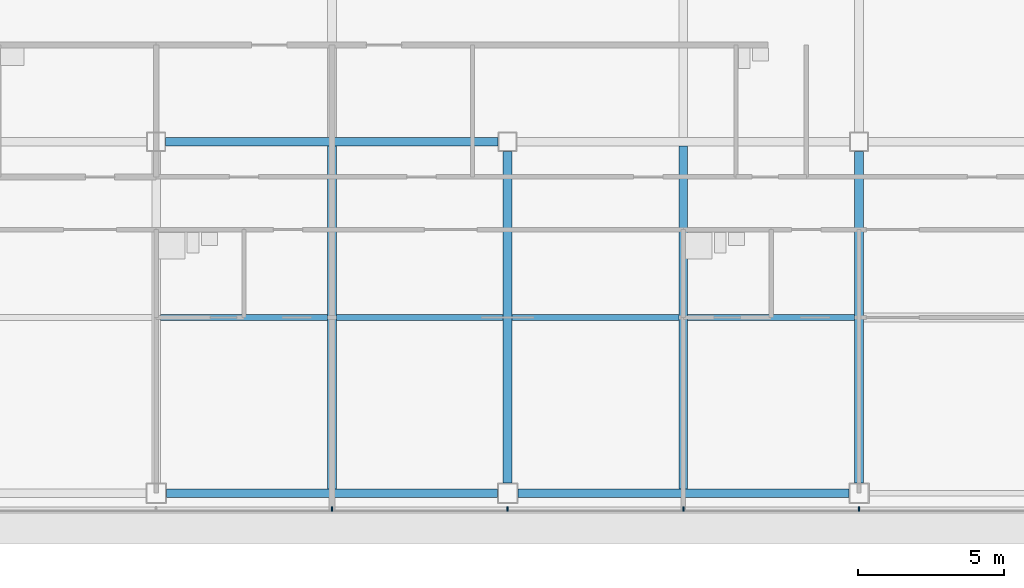
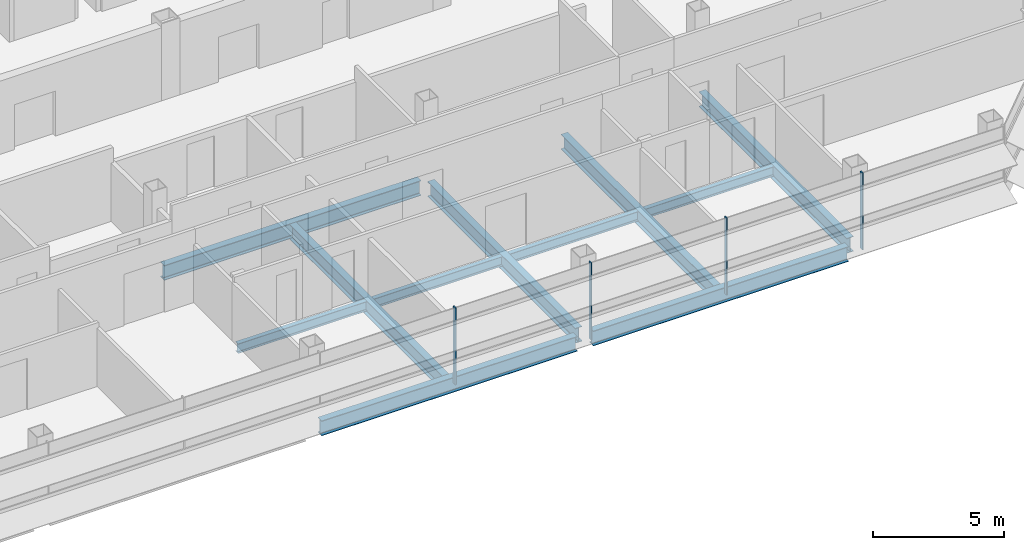
# One storey, part 8 of 24: 11 beams, 4 members, 1 element without a shape of its own.
"""IFC4 building model written with IfcOpenShell, lengths in metres."""

from ifc_helpers import new_model, si_unit, direction, frame, origin, origin_2d, place, context, subcontext, project, spatial, rectangle, i_section, extrude, material, material_profile, profile_set, type_object, element, aggregate, save


model = new_model("IFC4")

# Units and contexts
model_context = context("Model", 3, precision=1e-05, world=origin(), true_north=direction((0.0, 1.0)))
body_context = subcontext(model_context, "Body", "Model", "MODEL_VIEW")
ifc_project = project(units=[si_unit("LENGTHUNIT", "METRE"), si_unit("AREAUNIT", "SQUARE_METRE"), si_unit("VOLUMEUNIT", "CUBIC_METRE"), si_unit("PLANEANGLEUNIT", "RADIAN"), si_unit("MASSUNIT", "GRAM", prefix="KILO")], contexts=[model_context])

# Site, building, storey
site_placement = place(None, origin())
site = spatial("IfcSite", under=ifc_project, at=site_placement, CompositionType="ELEMENT")
building_placement = place(site_placement, origin())
building = spatial("IfcBuilding", under=site, at=building_placement, Name="Sorahane Residences", CompositionType="ELEMENT")
storey_placement = place(building_placement, frame((0.0, 0.0, 170.800048828125)))
storey = spatial("IfcBuildingStorey", under=building, at=storey_placement, Name="L39", CompositionType="ELEMENT", Elevation=170.800048828125)

# Curtain wall, members
ifc_material_1 = material(Name="Dark low-e glass and black anodised aluminium", Category="aluminium")
curtain_wall_type = type_object("IfcCurtainWallType", Name="Curtain wall CW-1 Typical unitised wall", PredefinedType="NOTDEFINED", material=ifc_material_1)
curtain_wall_placement = place(storey_placement, origin())
curtain_wall = element("IfcCurtainWall", 1, at=curtain_wall_placement, inside=storey, type_object=curtain_wall_type, Name="CW-1 curtain wall L39 S1", PredefinedType="NOTDEFINED")
ifc_material_2 = material(Name="Black anodised aluminium", Category="aluminium")
ifc_material_profile_1 = material_profile(ifc_material_2, rectangle(XDim=0.159912109375, YDim=0.050048828125, at=origin_2d()), Name="Curtain wall mullion CW-1 black anodised aluminium 50x160")
ifc_profile_set_1 = profile_set([ifc_material_profile_1], Name="Black anodised aluminium")
member_type = type_object("IfcMemberType", Name="Curtain wall mullion CW-1 black anodised aluminium 50x160", PredefinedType="MULLION", material=ifc_profile_set_1)
member_1_placement = place(storey_placement, frame((30.0, -0.5400390625, -0.179931640625), z_axis=(0.0, 0.0, 1.0), x_axis=(0.0, -1.0, 0.0)))
member_1 = element("IfcMember", 2, at=member_1_placement, type_object=member_type, Name="CW-1 mullion L39 S1.6", PredefinedType="MULLION", context=body_context, shape_type="SweptSolid", body=[
    extrude(rectangle(XDim=0.159912109375, YDim=0.050048828125, at=origin_2d()), origin(), (0.0, 0.0, 1.0), 3.599853515625),
])
member_2_placement = place(storey_placement, frame((36.0, -0.5400390625, -0.179931640625), z_axis=(0.0, 0.0, 1.0), x_axis=(0.0, -1.0, 0.0)))
member_2 = element("IfcMember", 3, at=member_2_placement, type_object=member_type, Name="CW-1 mullion L39 S1.7", PredefinedType="MULLION", context=body_context, shape_type="SweptSolid", body=[
    extrude(rectangle(XDim=0.159912109375, YDim=0.050048828125, at=origin_2d()), origin(), (0.0, 0.0, 1.0), 3.599853515625),
])
member_3_placement = place(storey_placement, frame((42.0, -0.5400390625, -0.179931640625), z_axis=(0.0, 0.0, 1.0), x_axis=(0.0, -1.0, 0.0)))
member_3 = element("IfcMember", 4, at=member_3_placement, type_object=member_type, Name="CW-1 mullion L39 S1.8", PredefinedType="MULLION", context=body_context, shape_type="SweptSolid", body=[
    extrude(rectangle(XDim=0.159912109375, YDim=0.050048828125, at=origin_2d()), origin(), (0.0, 0.0, 1.0), 3.599853515625),
])
member_4_placement = place(storey_placement, frame((48.0, -0.5400390625, -0.179931640625), z_axis=(0.0, 0.0, 1.0), x_axis=(0.0, -1.0, 0.0)))
member_4 = element("IfcMember", 5, at=member_4_placement, type_object=member_type, Name="CW-1 mullion L39 S1.9", PredefinedType="MULLION", context=body_context, shape_type="SweptSolid", body=[
    extrude(rectangle(XDim=0.159912109375, YDim=0.050048828125, at=origin_2d()), origin(), (0.0, 0.0, 1.0), 3.599853515625),
])
aggregate(curtain_wall, [member_1, member_2, member_3, member_4])

# Beams
ifc_material_3 = material(Name="Steel Q355B", Category="steel")
ifc_material_profile_2 = material_profile(ifc_material_3, i_section(OverallWidth=0.199951171875, OverallDepth=0.449951171875, WebThickness=0.009033203125, FlangeThickness=0.013916015625, FilletRadius=0.02001953125, at=origin_2d()), Name="HN 450x200x9x14")
ifc_profile_set_2 = profile_set([ifc_material_profile_2], Name="Steel Q355B")
beam_type_1 = type_object("IfcBeamType", Name="Steel floor beam HN 450x200x9x14 Q355B", PredefinedType="BEAM", material=ifc_profile_set_2)
for number, where, z_axis, x_axis, name in (
    (6, (24.14990234375, 6.0, -0.405029296875), (1.0, 0.0, 0.0), (0.0, 1.0, 0.0), "Beam L39 073"),
    (7, (30.14990234375, 6.0, -0.405029296875), (1.0, 0.0, 0.0), (0.0, 1.0, 0.0), "Beam L39 074"),
    (8, (36.14990234375, 6.0, -0.405029296875), (1.0, 0.0, 0.0), (0.0, 1.0, 0.0), "Beam L39 075"),
    (9, (42.14990234375, 6.0, -0.405029296875), (1.0, 0.0, 0.0), (0.0, 1.0, 0.0), "Beam L39 076"),
):
    element("IfcBeam", number, at=place(storey_placement, frame(where, z_axis=z_axis, x_axis=x_axis)), inside=storey, type_object=beam_type_1, Name=name, PredefinedType="BEAM", context=body_context, shape_type="SweptSolid", body=[
        extrude(i_section(OverallWidth=0.199951171875, OverallDepth=0.449951171875, WebThickness=0.009033203125, FlangeThickness=0.013916015625, FilletRadius=0.02001953125, at=origin_2d()), origin(), (0.0, 0.0, 1.0), 5.7001953125),
    ])
ifc_material_4 = material(Name="Steel Q355B", Category="steel")
ifc_material_profile_3 = material_profile(ifc_material_4, i_section(OverallWidth=0.300048828125, OverallDepth=0.699951171875, WebThickness=0.012939453125, FlangeThickness=0.02392578125, FilletRadius=0.028076171875, at=origin_2d()), Name="HN 700x300x13x24")
ifc_profile_set_3 = profile_set([ifc_material_profile_3], Name="Steel Q355B")
beam_type_2 = type_object("IfcBeamType", Name="Steel floor beam HN 700x300x13x24 Q355B", PredefinedType="BEAM", material=ifc_profile_set_3)
for number, where, z_axis, x_axis, name in (
    (10, (24.35009765625, 0.0, -0.530029296875), (1.0, 0.0, 0.0), (0.0, 1.0, 0.0), "Beam L39 002"),
    (11, (36.35009765625, 0.0, -0.530029296875), (1.0, 0.0, 0.0), (0.0, 1.0, 0.0), "Beam L39 003"),
):
    element("IfcBeam", number, at=place(storey_placement, frame(where, z_axis=z_axis, x_axis=x_axis)), inside=storey, type_object=beam_type_2, Name=name, PredefinedType="BEAM", context=body_context, shape_type="SweptSolid", body=[
        extrude(i_section(OverallWidth=0.300048828125, OverallDepth=0.699951171875, WebThickness=0.012939453125, FlangeThickness=0.02392578125, FilletRadius=0.028076171875, at=origin_2d()), origin(), (0.0, 0.0, 1.0), 11.2998046875),
    ])
beam_1_placement = place(storey_placement, frame((24.324951171875, 12.0, -0.530029296875), z_axis=(1.0, 0.0, 0.0), x_axis=(0.0, 1.0, 0.0)))
element("IfcBeam", 12, at=beam_1_placement, inside=storey, type_object=beam_type_2, Name="Beam L39 008", PredefinedType="BEAM", context=body_context, shape_type="SweptSolid", body=[
    extrude(i_section(OverallWidth=0.300048828125, OverallDepth=0.699951171875, WebThickness=0.012939453125, FlangeThickness=0.02392578125, FilletRadius=0.028076171875, at=origin_2d()), origin(), (0.0, 0.0, 1.0), 11.35009765625),
])
beam_2_placement = place(storey_placement, frame((30.0, 0.14990234375, -0.530029296875), z_axis=(0.0, 1.0, 0.0), x_axis=(-1.0, 0.0, 0.0)))
element("IfcBeam", 13, at=beam_2_placement, inside=storey, type_object=beam_type_2, Name="Beam L39 044", PredefinedType="BEAM", context=body_context, shape_type="SweptSolid", body=[
    extrude(i_section(OverallWidth=0.300048828125, OverallDepth=0.699951171875, WebThickness=0.012939453125, FlangeThickness=0.02392578125, FilletRadius=0.028076171875, at=origin_2d()), origin(), (0.0, 0.0, 1.0), 11.7001953125),
])
beam_3_placement = place(storey_placement, frame((36.0, 0.35009765625, -0.530029296875), z_axis=(0.0, 1.0, 0.0), x_axis=(-1.0, 0.0, 0.0)))
element("IfcBeam", 14, at=beam_3_placement, inside=storey, type_object=beam_type_2, Name="Beam L39 050", PredefinedType="BEAM", context=body_context, shape_type="SweptSolid", body=[
    extrude(i_section(OverallWidth=0.300048828125, OverallDepth=0.699951171875, WebThickness=0.012939453125, FlangeThickness=0.02392578125, FilletRadius=0.028076171875, at=origin_2d()), origin(), (0.0, 0.0, 1.0), 11.324951171875),
])
beam_4_placement = place(storey_placement, frame((42.0, 0.14990234375, -0.530029296875), z_axis=(0.0, 1.0, 0.0), x_axis=(-1.0, 0.0, 0.0)))
element("IfcBeam", 15, at=beam_4_placement, inside=storey, type_object=beam_type_2, Name="Beam L39 052", PredefinedType="BEAM", context=body_context, shape_type="SweptSolid", body=[
    extrude(i_section(OverallWidth=0.300048828125, OverallDepth=0.699951171875, WebThickness=0.012939453125, FlangeThickness=0.02392578125, FilletRadius=0.028076171875, at=origin_2d()), origin(), (0.0, 0.0, 1.0), 11.7001953125),
])
beam_5_placement = place(storey_placement, frame((48.0, 0.35009765625, -0.530029296875), z_axis=(0.0, 1.0, 0.0), x_axis=(-1.0, 0.0, 0.0)))
element("IfcBeam", 16, at=beam_5_placement, inside=storey, type_object=beam_type_2, Name="Beam L39 058", PredefinedType="BEAM", context=body_context, shape_type="SweptSolid", body=[
    extrude(i_section(OverallWidth=0.300048828125, OverallDepth=0.699951171875, WebThickness=0.012939453125, FlangeThickness=0.02392578125, FilletRadius=0.028076171875, at=origin_2d()), origin(), (0.0, 0.0, 1.0), 11.324951171875),
])

save(model, "model.ifc")
